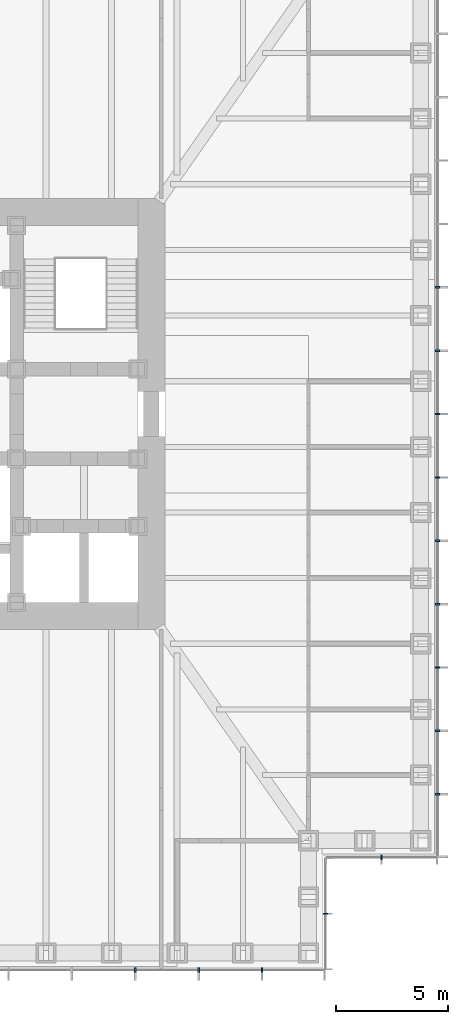
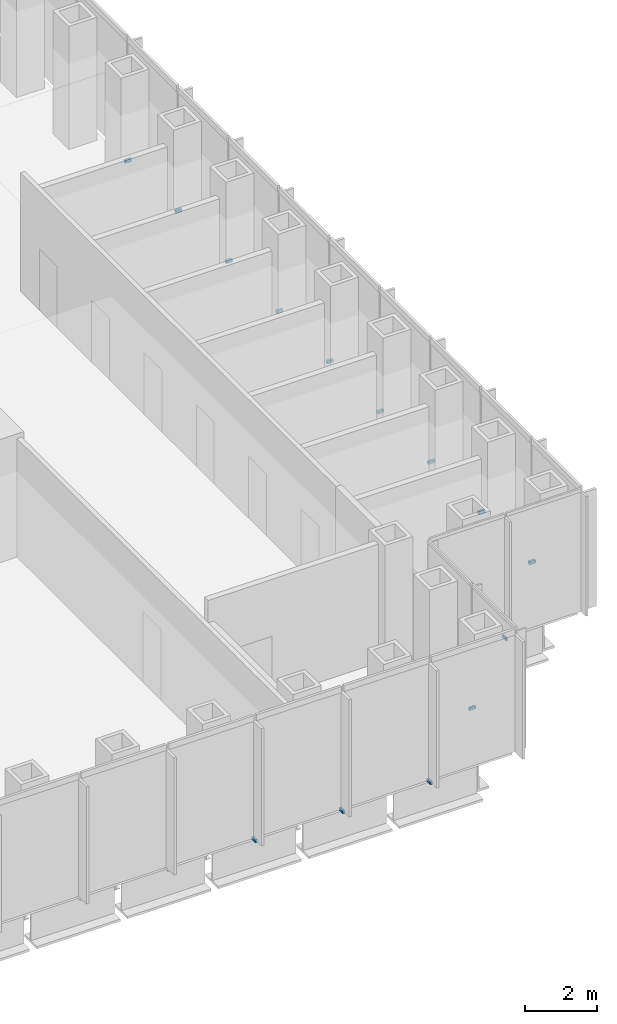
# One storey, part 13 of 16: 14 discrete accessories.
"""IFC4 building model written with IfcOpenShell, lengths in metres."""

from ifc_helpers import new_model, si_unit, direction, frame, origin, origin_2d, place, context, subcontext, project, spatial, rectangle, extrude, element, save


model = new_model("IFC4")

# Units and contexts
model_context = context("Model", 3, precision=1e-05, world=origin(), true_north=direction((0.0, 1.0)))
body_context = subcontext(model_context, "Body", "Model", "MODEL_VIEW")
ifc_project = project(units=[si_unit("LENGTHUNIT", "METRE"), si_unit("AREAUNIT", "SQUARE_METRE"), si_unit("VOLUMEUNIT", "CUBIC_METRE"), si_unit("PLANEANGLEUNIT", "RADIAN"), si_unit("MASSUNIT", "GRAM", prefix="KILO")], contexts=[model_context])

# Site, building, storey
site_placement = place(None, origin())
site = spatial("IfcSite", under=ifc_project, at=site_placement, CompositionType="ELEMENT")
building_placement = place(site_placement, origin())
building = spatial("IfcBuilding", under=site, at=building_placement, Name="Daluyong Arena Tower", CompositionType="ELEMENT")
storey_placement = place(building_placement, frame((0.0, 0.0, 72.699951171875)))
storey = spatial("IfcBuildingStorey", under=building, at=storey_placement, Name="L15", CompositionType="ELEMENT", Elevation=72.699951171875)

# Discrete accessories
for number, where, z_axis, x_axis, name in (
    (1, (67.28564453125, 55.25, -0.10009765625), (0.0, 0.0, 1.0), (1.0, 0.0, 0.0), "curtain wall L15 S anchor bracket 12"),
    (2, (70.107177734375, 55.25, -0.10009765625), (0.0, 0.0, 1.0), (1.0, 0.0, 0.0), "curtain wall L15 S anchor bracket 13"),
    (3, (72.928466796875, 55.25, -0.10009765625), (0.0, 0.0, 1.0), (1.0, 0.0, 0.0), "curtain wall L15 S anchor bracket 14"),
):
    element("IfcDiscreteAccessory", number, at=place(storey_placement, frame(where, z_axis=z_axis, x_axis=x_axis)), inside=storey, Name=name, PredefinedType="BRACKET", context=body_context, shape_type="SweptSolid", body=[
        extrude(rectangle(XDim=0.080078125, YDim=0.199951171875, at=origin_2d()), origin(), (0.0, 0.0, 1.0), 0.10009765625),
    ])
for number, where, z_axis, x_axis, name in (
    (4, (75.75, 57.75, -0.10009765625), (0.0, 0.0, 1.0), (0.0, 1.0, 0.0), "curtain wall L15 SE-E anchor bracket 2"),
    (5, (78.25, 60.25, -0.10009765625), (0.0, 0.0, 1.0), (1.0, 0.0, 0.0), "curtain wall L15 SE-S anchor bracket 2"),
):
    element("IfcDiscreteAccessory", number, at=place(storey_placement, frame(where, z_axis=z_axis, x_axis=x_axis)), inside=storey, Name=name, PredefinedType="BRACKET", context=body_context, shape_type="SweptSolid", body=[
        extrude(rectangle(XDim=0.06005859375, YDim=0.199951171875, at=origin_2d()), origin(), (0.0, 0.0, 1.0), 0.10009765625),
    ])
for number, where, z_axis, x_axis, name in (
    (6, (80.75, 63.071533203125, -0.10009765625), (0.0, 0.0, 1.0), (0.0, 1.0, 0.0), "curtain wall L15 E anchor bracket 2"),
    (7, (80.75, 65.892822265625, -0.10009765625), (0.0, 0.0, 1.0), (0.0, 1.0, 0.0), "curtain wall L15 E anchor bracket 3"),
    (8, (80.75, 68.71435546875, -0.10009765625), (0.0, 0.0, 1.0), (0.0, 1.0, 0.0), "curtain wall L15 E anchor bracket 4"),
    (9, (80.75, 71.53564453125, -0.10009765625), (0.0, 0.0, 1.0), (0.0, 1.0, 0.0), "curtain wall L15 E anchor bracket 5"),
    (10, (80.75, 74.357177734375, -0.10009765625), (0.0, 0.0, 1.0), (0.0, 1.0, 0.0), "curtain wall L15 E anchor bracket 6"),
    (11, (80.75, 77.178466796875, -0.10009765625), (0.0, 0.0, 1.0), (0.0, 1.0, 0.0), "curtain wall L15 E anchor bracket 7"),
    (12, (80.75, 80.0, -0.10009765625), (0.0, 0.0, 1.0), (0.0, 1.0, 0.0), "curtain wall L15 E anchor bracket 8"),
    (13, (80.75, 82.821533203125, -0.10009765625), (0.0, 0.0, 1.0), (0.0, 1.0, 0.0), "curtain wall L15 E anchor bracket 9"),
    (14, (80.75, 85.642822265625, -0.10009765625), (0.0, 0.0, 1.0), (0.0, 1.0, 0.0), "curtain wall L15 E anchor bracket 10"),
):
    element("IfcDiscreteAccessory", number, at=place(storey_placement, frame(where, z_axis=z_axis, x_axis=x_axis)), inside=storey, Name=name, PredefinedType="BRACKET", context=body_context, shape_type="SweptSolid", body=[
        extrude(rectangle(XDim=0.080078125, YDim=0.199951171875, at=origin_2d()), origin(), (0.0, 0.0, 1.0), 0.10009765625),
    ])

save(model, "model.ifc")
